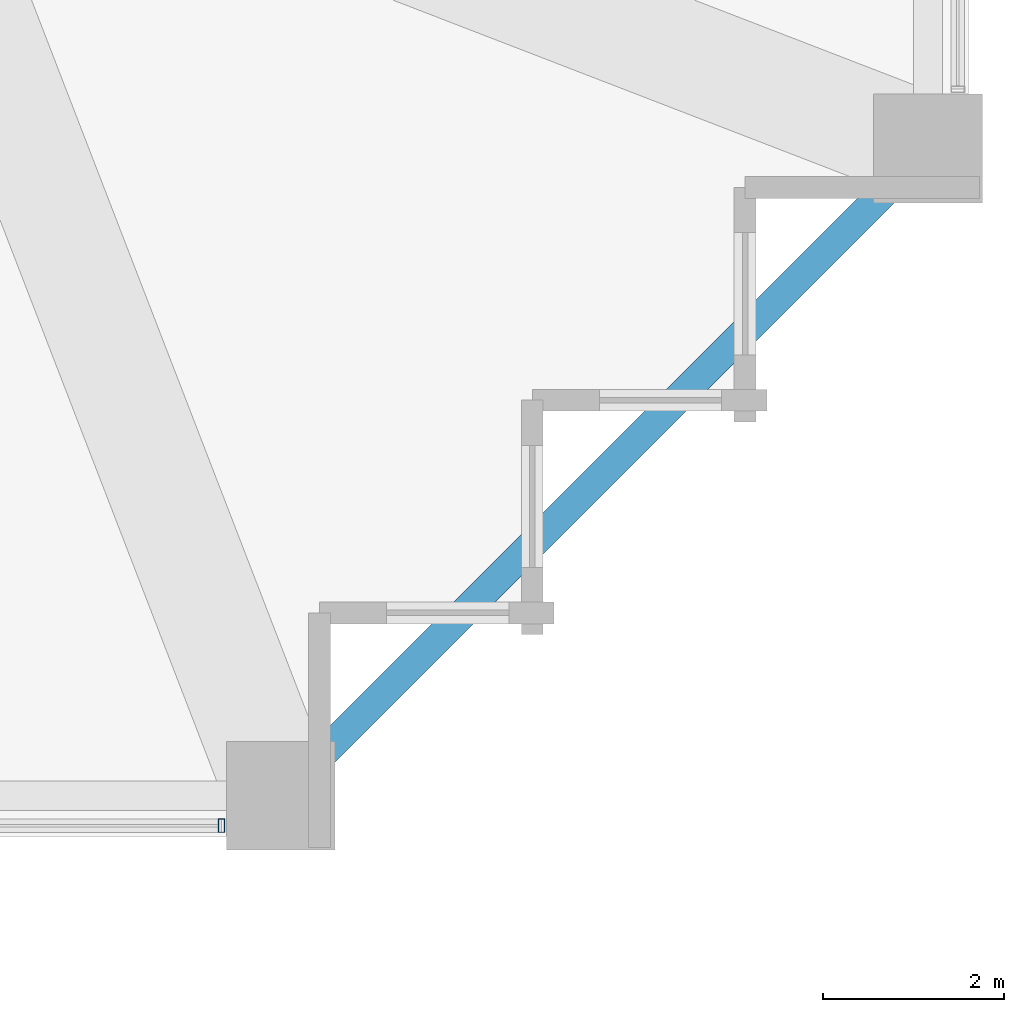
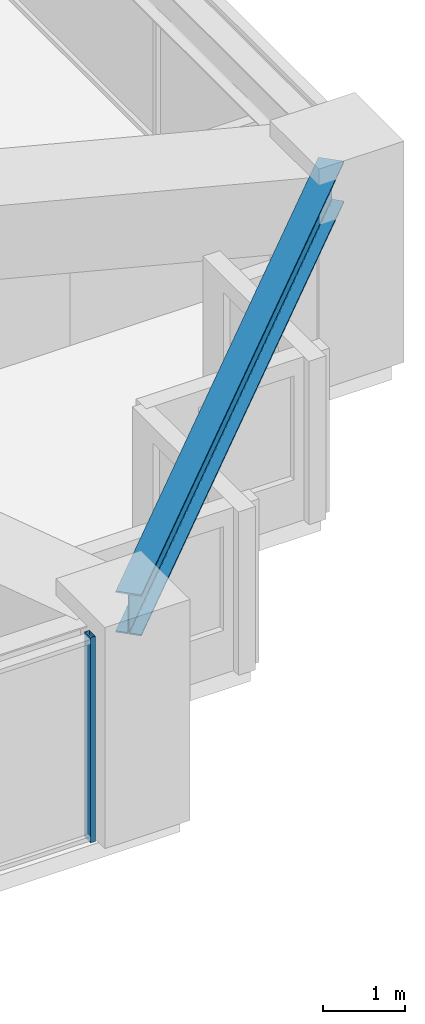
# One storey, part 11 of 37: 1 beam, 1 member, 1 element without a shape of its own.
"""IFC4 building model written with IfcOpenShell, lengths in metres."""

from ifc_helpers import new_model, si_unit, direction, frame, origin, origin_2d, place, context, subcontext, project, spatial, hollow_rectangle, i_section, extrude, material, material_profile, profile_set, type_object, element, aggregate, save


model = new_model("IFC4")

# Units and contexts
model_context = context("Model", 3, precision=1e-05, world=origin(), true_north=direction((0.0, 1.0)))
body_context = subcontext(model_context, "Body", "Model", "MODEL_VIEW")
ifc_project = project(units=[si_unit("LENGTHUNIT", "METRE"), si_unit("AREAUNIT", "SQUARE_METRE"), si_unit("VOLUMEUNIT", "CUBIC_METRE"), si_unit("PLANEANGLEUNIT", "RADIAN"), si_unit("MASSUNIT", "GRAM", prefix="KILO")], contexts=[model_context])

# Site, building, storey
site_placement = place(None, origin())
site = spatial("IfcSite", under=ifc_project, at=site_placement, CompositionType="ELEMENT")
building_placement = place(site_placement, origin())
building = spatial("IfcBuilding", under=site, at=building_placement, Name="Kolvaren Belvedere", CompositionType="ELEMENT")
storey_placement = place(building_placement, frame((0.0, 0.0, 37.0)))
storey = spatial("IfcBuildingStorey", under=building, at=storey_placement, Name="L10", CompositionType="ELEMENT", Elevation=37.0)

# Beam
ifc_material_1 = material(Name="Structural steel ASTM A992 Grade 50", Category="steel")
ifc_material_profile_1 = material_profile(ifc_material_1, i_section(OverallWidth=0.324951171875, OverallDepth=0.615966796875, WebThickness=0.013916015625, FlangeThickness=0.021484375, FilletRadius=0.02001953125, at=origin_2d()), Name="W24X117")
ifc_profile_set_1 = profile_set([ifc_material_profile_1], Name="Structural steel ASTM A992 Grade 50")
beam_type = type_object("IfcBeamType", Name="BM-SPAN-W24X117", PredefinedType="SPANDREL", material=ifc_profile_set_1)
beam_placement = place(storey_placement, frame((14.5908203125, -21.359130859375, 2.751953125), z_axis=(0.707106781187, 0.707106781187, 0.0), x_axis=(-0.707106781187, 0.707106781187, 0.0)))
element("IfcBeam", 1, at=beam_placement, inside=storey, type_object=beam_type, Name="L10 Perimeter Spandrel S4-E1", PredefinedType="SPANDREL", context=body_context, shape_type="SweptSolid", body=[
    extrude(i_section(OverallWidth=0.324951171875, OverallDepth=0.615966796875, WebThickness=0.013916015625, FlangeThickness=0.021484375, FilletRadius=0.02001953125, at=origin_2d()), origin(), (0.0, 0.0, 1.0), 9.57177734375),
])

# Curtain wall, member
ifc_material_2 = material(Name="Anodised pale-metal aluminium AA 6063-T6", Category="aluminium")
curtain_wall_type = type_object("IfcCurtainWallType", Name="CW-Z1-LOW", PredefinedType="NOTDEFINED", material=ifc_material_2)
curtain_wall_placement = place(storey_placement, origin())
curtain_wall = element("IfcCurtainWall", 2, at=curtain_wall_placement, inside=storey, type_object=curtain_wall_type, Name="L10 Unitised Curtain Wall FCW-L10-S1-B1", PredefinedType="NOTDEFINED")
ifc_material_3 = material(Name="Anodised pale-metal aluminium AA 6063-T6", Category="aluminium")
ifc_material_profile_2 = material_profile(ifc_material_3, hollow_rectangle(XDim=0.070068359375, YDim=0.14990234375, WallThickness=0.004150390625, at=origin_2d()), Name="ALU-MUL-150X70")
ifc_profile_set_2 = profile_set([ifc_material_profile_2], Name="Anodised pale-metal aluminium AA 6063-T6")
member_type = type_object("IfcMemberType", Name="CW-MUL-150", PredefinedType="MULLION", material=ifc_profile_set_2)
member_placement = place(storey_placement, frame((13.7451171875, -21.8798828125, 0.0), z_axis=(0.0, 0.0, 1.0), x_axis=(1.0, 0.0, 0.0)))
member = element("IfcMember", 3, at=member_placement, type_object=member_type, Name="FCW-L10-S1-B1 Unitised Mullion 1", PredefinedType="MULLION", context=body_context, shape_type="SweptSolid", body=[
    extrude(hollow_rectangle(XDim=0.070068359375, YDim=0.14990234375, WallThickness=0.004150390625, at=origin_2d()), origin(), (0.0, 0.0, 1.0), 3.06005859375),
])
aggregate(curtain_wall, [member])

save(model, "model.ifc")
